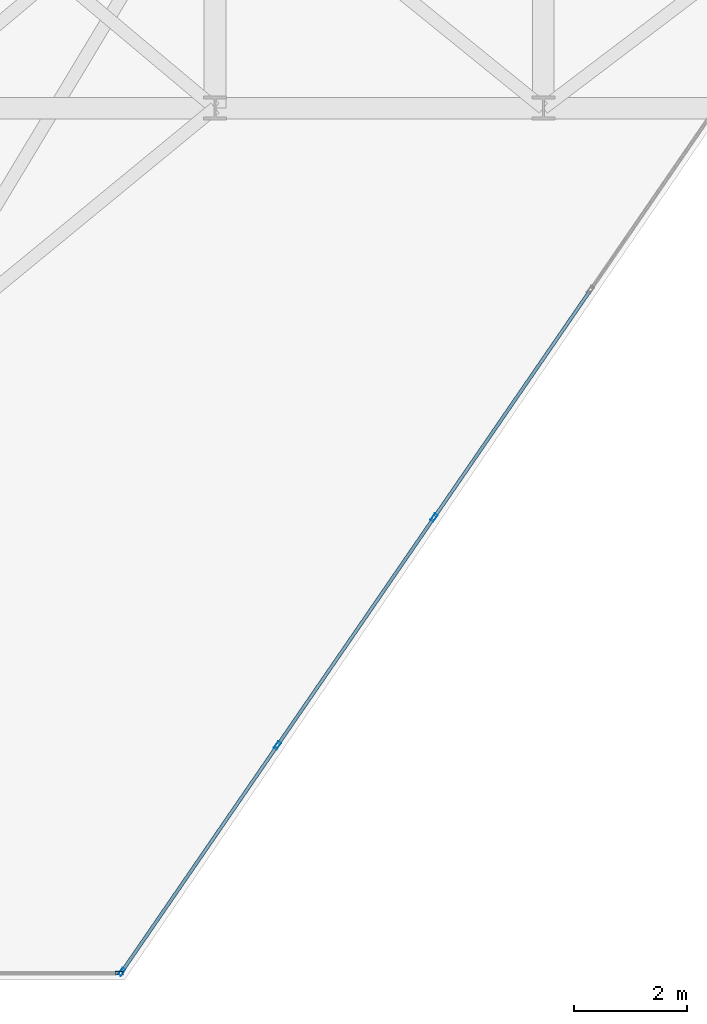
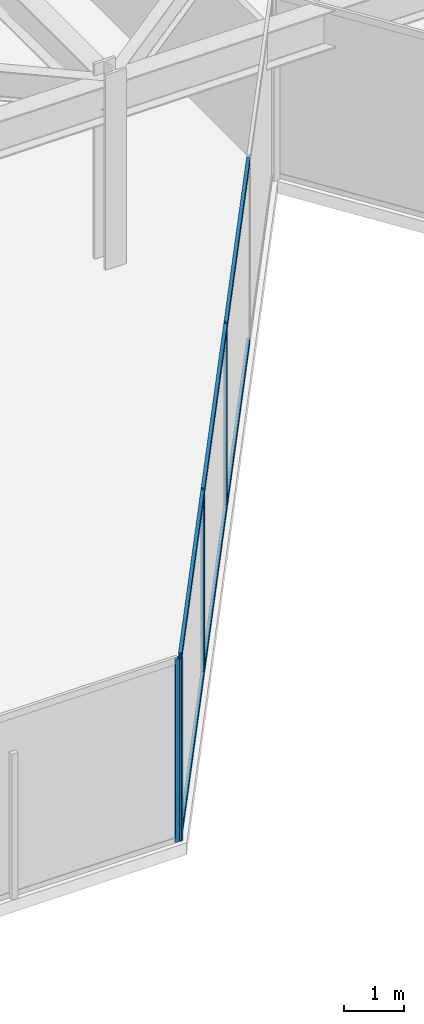
# One storey, part 4 of 21: 10 members, 2 elements without a shape of their own.
"""IFC4 building model written with IfcOpenShell, lengths in metres."""

from ifc_helpers import new_model, si_unit, direction, frame, origin, origin_2d, place, context, subcontext, project, spatial, hollow_rectangle, extrude, material, layer, layer_set, material_profile, profile_set, type_object, element, aggregate, save


model = new_model("IFC4")

# Units and contexts
model_context = context("Model", 3, precision=1e-05, world=origin(), true_north=direction((0.0, 1.0)))
body_context = subcontext(model_context, "Body", "Model", "MODEL_VIEW")
ifc_project = project(units=[si_unit("LENGTHUNIT", "METRE"), si_unit("AREAUNIT", "SQUARE_METRE"), si_unit("VOLUMEUNIT", "CUBIC_METRE"), si_unit("PLANEANGLEUNIT", "RADIAN"), si_unit("MASSUNIT", "GRAM", prefix="KILO")], contexts=[model_context])

# Site, building, storey
site_placement = place(None, origin())
site = spatial("IfcSite", under=ifc_project, at=site_placement, CompositionType="ELEMENT")
building_placement = place(site_placement, origin())
building = spatial("IfcBuilding", under=site, at=building_placement, Name="Kravanh Interchange Tower", CompositionType="ELEMENT")
storey_placement = place(building_placement, frame((0.0, 0.0, 176.5)))
storey = spatial("IfcBuildingStorey", under=building, at=storey_placement, Name="L42", CompositionType="ELEMENT", Elevation=176.5)

# Curtain wall, members
ifc_material_1 = material(Name="Anodised Bronze Aluminium", Category="aluminium")
ifc_layer = layer(ifc_material_1, 0.179931640625)
ifc_layer_set = layer_set([ifc_layer], Name="Unitised Curtain Wall System CW-Z3 Upper Office")
curtain_wall_type = type_object("IfcCurtainWallType", Name="Unitised Curtain Wall System CW-Z3 Upper Office", PredefinedType="NOTDEFINED", material=ifc_layer_set)
curtain_wall_1_placement = place(storey_placement, origin())
curtain_wall_1 = element("IfcCurtainWall", 1, at=curtain_wall_1_placement, inside=storey, type_object=curtain_wall_type, Name="L42 Unitised Curtain Wall CW-L42-04", PredefinedType="NOTDEFINED")
ifc_material_2 = material(Name="Anodised Bronze Aluminium", Category="aluminium")
ifc_material_profile_1 = material_profile(ifc_material_2, hollow_rectangle(XDim=0.06005859375, YDim=0.139892578125, WallThickness=0.00390625, at=origin_2d()), Name="ALU60X140X4")
ifc_profile_set_1 = profile_set([ifc_material_profile_1], Name="Anodised Bronze Aluminium")
member_type_1 = type_object("IfcMemberType", Name="Curtain Wall Mullion ALU60X140X4 Bronze", PredefinedType="MULLION", material=ifc_profile_set_1)
member_1_placement = place(storey_placement, frame((36.66845703125, 19.56591796875, 0.0), z_axis=(0.0, 0.0, 1.0), x_axis=(0.824042223035, -0.566528388217, 0.0)))
member_1 = element("IfcMember", 2, at=member_1_placement, type_object=member_type_1, Name="CW-Z3 mullion 3", PredefinedType="MULLION", context=body_context, shape_type="SweptSolid", body=[
    extrude(hollow_rectangle(XDim=0.06005859375, YDim=0.139892578125, WallThickness=0.00390625, at=origin_2d()), origin(), (0.0, 0.0, 1.0), 3.7548828125),
])
member_2_placement = place(storey_placement, frame((33.902587890625, 15.54296875, 0.0), z_axis=(0.0, 0.0, 1.0), x_axis=(0.824042223035, -0.566528388217, 0.0)))
member_2 = element("IfcMember", 3, at=member_2_placement, type_object=member_type_1, Name="CW-Z3 mullion 4", PredefinedType="MULLION", context=body_context, shape_type="SweptSolid", body=[
    extrude(hollow_rectangle(XDim=0.06005859375, YDim=0.139892578125, WallThickness=0.00390625, at=origin_2d()), origin(), (0.0, 0.0, 1.0), 3.7548828125),
])
member_3_placement = place(storey_placement, frame((31.15380859375, 11.544677734375, 0.0), z_axis=(0.0, 0.0, 1.0), x_axis=(0.824042223035, -0.566528388217, 0.0)))
member_3 = element("IfcMember", 4, at=member_3_placement, type_object=member_type_1, Name="CW-Z3 mullion 5", PredefinedType="MULLION", context=body_context, shape_type="SweptSolid", body=[
    extrude(hollow_rectangle(XDim=0.06005859375, YDim=0.139892578125, WallThickness=0.00390625, at=origin_2d()), origin(), (0.0, 0.0, 1.0), 3.7548828125),
])

# Curtain wall, member
curtain_wall_2_placement = place(storey_placement, origin())
curtain_wall_2 = element("IfcCurtainWall", 5, at=curtain_wall_2_placement, inside=storey, type_object=curtain_wall_type, Name="L42 Unitised Curtain Wall CW-L42-05", PredefinedType="NOTDEFINED")
member_4_placement = place(storey_placement, frame((31.10693359375, 11.52001953125, 0.0), z_axis=(0.0, 0.0, 1.0), x_axis=(0.0, -1.0, 0.0)))
member_4 = element("IfcMember", 6, at=member_4_placement, type_object=member_type_1, Name="CW-Z3 mullion 1", PredefinedType="MULLION", context=body_context, shape_type="SweptSolid", body=[
    extrude(hollow_rectangle(XDim=0.06005859375, YDim=0.139892578125, WallThickness=0.00390625, at=origin_2d()), origin(), (0.0, 0.0, 1.0), 3.7548828125),
])
aggregate(curtain_wall_2, [member_4])

# Member
ifc_material_3 = material(Name="Anodised Bronze Aluminium", Category="aluminium")
ifc_material_profile_2 = material_profile(ifc_material_3, hollow_rectangle(XDim=0.06005859375, YDim=0.139892578125, WallThickness=0.00390625, at=origin_2d()), Name="ALU60X140X4")
ifc_profile_set_2 = profile_set([ifc_material_profile_2], Name="Anodised Bronze Aluminium")
member_type_2 = type_object("IfcMemberType", Name="Curtain Wall Transom ALU60X140X4 Bronze", PredefinedType="USERDEFINED", material=ifc_profile_set_2)
member_5_placement = place(storey_placement, frame((39.417236328125, 23.564208984375, 0.030029296875), z_axis=(-0.566503037389, -0.824059651135, 0.0), x_axis=(0.824059651135, -0.566503037389, 0.0)))
member_5 = element("IfcMember", 7, at=member_5_placement, type_object=member_type_2, Name="CW-Z3 transom 2.1", ObjectType="TRANSOM", PredefinedType="USERDEFINED", context=body_context, shape_type="SweptSolid", body=[
    extrude(hollow_rectangle(XDim=0.06005859375, YDim=0.139892578125, WallThickness=0.00390625, at=origin_2d()), origin(), (0.0, 0.0, 1.0), 4.822021484375),
])

member_6_placement = place(storey_placement, frame((39.417236328125, 23.564208984375, 3.72509765625), z_axis=(-0.566503037389, -0.824059651135, 0.0), x_axis=(0.824059651135, -0.566503037389, 0.0)))
member_6 = element("IfcMember", 8, at=member_6_placement, type_object=member_type_2, Name="CW-Z3 transom 2.2", ObjectType="TRANSOM", PredefinedType="USERDEFINED", context=body_context, shape_type="SweptSolid", body=[
    extrude(hollow_rectangle(XDim=0.06005859375, YDim=0.139892578125, WallThickness=0.00390625, at=origin_2d()), origin(), (0.0, 0.0, 1.0), 4.822021484375),
])

member_7_placement = place(storey_placement, frame((36.6513671875, 19.541259765625, 0.030029296875), z_axis=(-0.566503037389, -0.824059651135, 0.0), x_axis=(0.824059651135, -0.566503037389, 0.0)))
member_7 = element("IfcMember", 9, at=member_7_placement, type_object=member_type_2, Name="CW-Z3 transom 3.1", ObjectType="TRANSOM", PredefinedType="USERDEFINED", context=body_context, shape_type="SweptSolid", body=[
    extrude(hollow_rectangle(XDim=0.06005859375, YDim=0.139892578125, WallThickness=0.00390625, at=origin_2d()), origin(), (0.0, 0.0, 1.0), 4.822021484375),
])

member_8_placement = place(storey_placement, frame((36.6513671875, 19.541259765625, 3.72509765625), z_axis=(-0.566503037389, -0.824059651135, 0.0), x_axis=(0.824059651135, -0.566503037389, 0.0)))
member_8 = element("IfcMember", 10, at=member_8_placement, type_object=member_type_2, Name="CW-Z3 transom 3.2", ObjectType="TRANSOM", PredefinedType="USERDEFINED", context=body_context, shape_type="SweptSolid", body=[
    extrude(hollow_rectangle(XDim=0.06005859375, YDim=0.139892578125, WallThickness=0.00390625, at=origin_2d()), origin(), (0.0, 0.0, 1.0), 4.822021484375),
])

member_9_placement = place(storey_placement, frame((33.8857421875, 15.518310546875, 0.030029296875), z_axis=(-0.566518012045, -0.824049356549, 0.0), x_axis=(0.824049356549, -0.566518012045, 0.0)))
member_9 = element("IfcMember", 11, at=member_9_placement, type_object=member_type_2, Name="CW-Z3 transom 4.1", ObjectType="TRANSOM", PredefinedType="USERDEFINED", context=body_context, shape_type="SweptSolid", body=[
    extrude(hollow_rectangle(XDim=0.06005859375, YDim=0.139892578125, WallThickness=0.00390625, at=origin_2d()), origin(), (0.0, 0.0, 1.0), 4.792236328125),
])

member_10_placement = place(storey_placement, frame((33.8857421875, 15.518310546875, 3.72509765625), z_axis=(-0.566518012045, -0.824049356549, 0.0), x_axis=(0.824049356549, -0.566518012045, 0.0)))
member_10 = element("IfcMember", 12, at=member_10_placement, type_object=member_type_2, Name="CW-Z3 transom 4.2", ObjectType="TRANSOM", PredefinedType="USERDEFINED", context=body_context, shape_type="SweptSolid", body=[
    extrude(hollow_rectangle(XDim=0.06005859375, YDim=0.139892578125, WallThickness=0.00390625, at=origin_2d()), origin(), (0.0, 0.0, 1.0), 4.792236328125),
])

aggregate(curtain_wall_1, [member_1, member_2, member_3, member_5, member_6, member_7, member_8, member_9, member_10])

save(model, "model.ifc")
